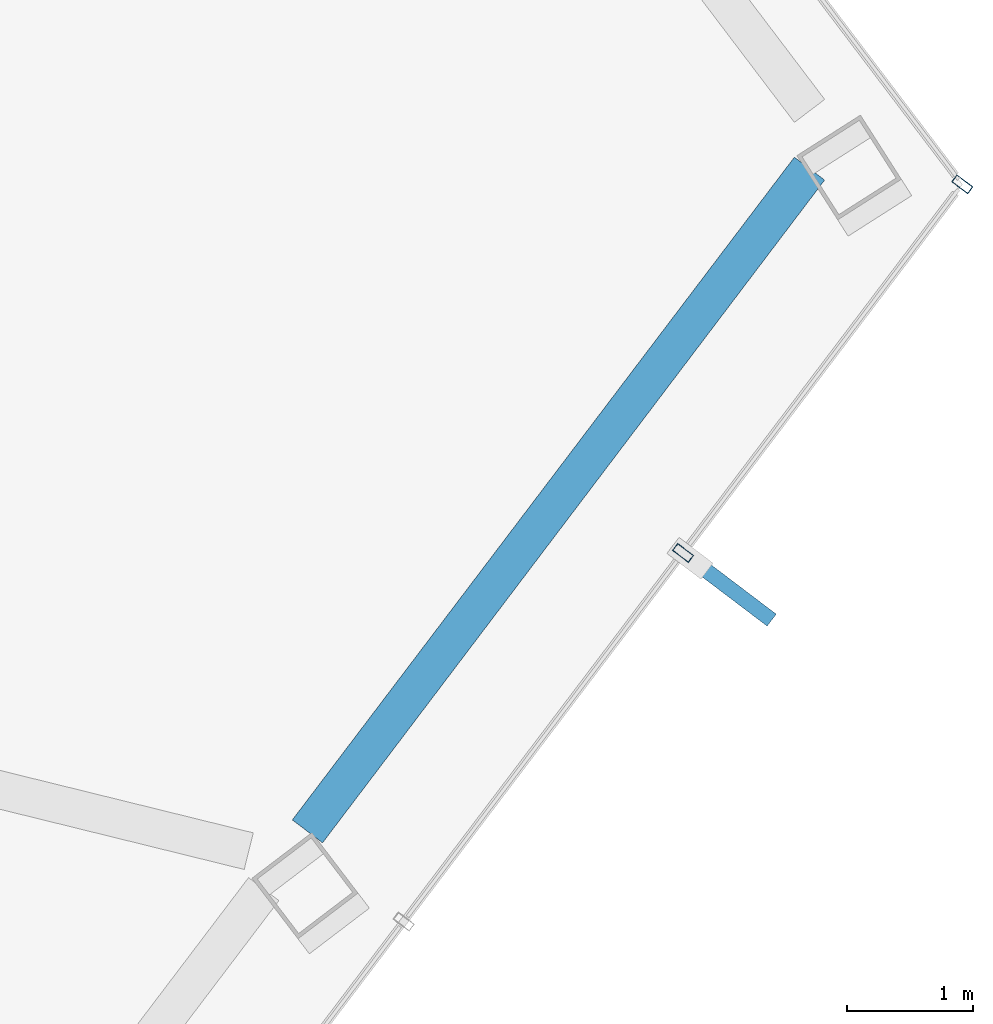
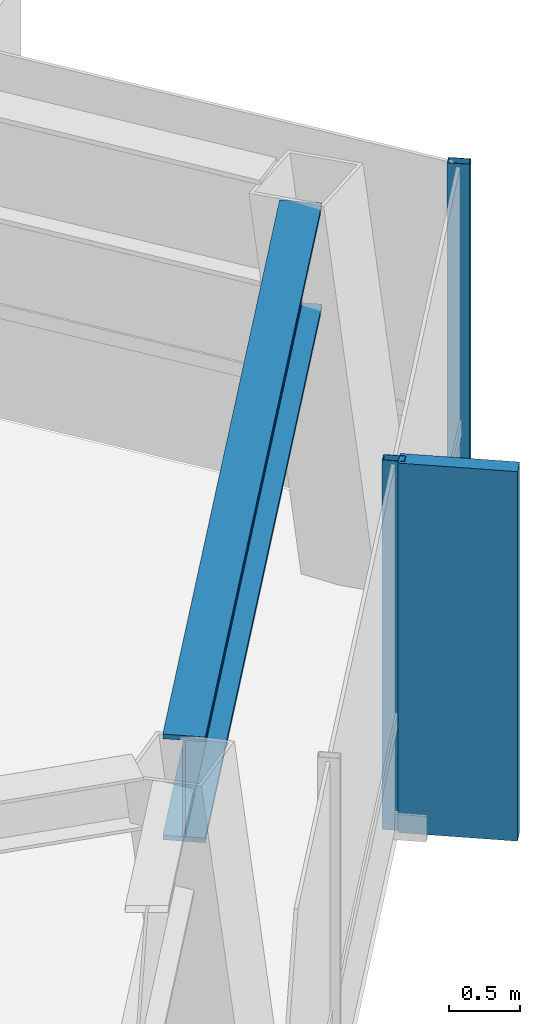
# One storey, part 18 of 25: 3 members, 1 beam, 1 element without a shape of its own.
"""IFC4 building model written with IfcOpenShell, lengths in metres."""

from ifc_helpers import new_model, si_unit, direction, frame, origin, origin_2d, place, context, subcontext, project, spatial, rectangle, hollow_rectangle, i_section, extrude, material, layer, layer_set, material_profile, profile_set, type_object, element, aggregate, save


model = new_model("IFC4")

# Units and contexts
model_context = context("Model", 3, precision=1e-05, world=origin(), true_north=direction((0.0, 1.0)))
body_context = subcontext(model_context, "Body", "Model", "MODEL_VIEW")
ifc_project = project(units=[si_unit("LENGTHUNIT", "METRE"), si_unit("AREAUNIT", "SQUARE_METRE"), si_unit("VOLUMEUNIT", "CUBIC_METRE"), si_unit("PLANEANGLEUNIT", "RADIAN"), si_unit("MASSUNIT", "GRAM", prefix="KILO")], contexts=[model_context])

# Site, building, storey
site_placement = place(None, origin())
site = spatial("IfcSite", under=ifc_project, at=site_placement, CompositionType="ELEMENT")
building_placement = place(site_placement, origin())
building = spatial("IfcBuilding", under=site, at=building_placement, Name="Zarrinselat Tower", CompositionType="ELEMENT")
storey_placement = place(building_placement, frame((0.0, 0.0, 246.159912109375)))
storey = spatial("IfcBuildingStorey", under=building, at=storey_placement, Name="L62", CompositionType="ELEMENT", Elevation=246.159912109375)

# Beam
ifc_material_1 = material(Name="Steel S460M", Category="steel")
ifc_material_profile_1 = material_profile(ifc_material_1, i_section(OverallWidth=0.302001953125, OverallDepth=0.909912109375, WebThickness=0.02099609375, FlangeThickness=0.0400390625, at=origin_2d()), Name="HEM 900")
ifc_profile_set_1 = profile_set([ifc_material_profile_1], Name="Steel S460M")
beam_type = type_object("IfcBeamType", Name="BM-HEM900", PredefinedType="BEAM", material=ifc_profile_set_1)
beam_placement = place(storey_placement, frame((56.42578125, 36.8818359375, 2.72509765625), z_axis=(0.603859819163, 0.797090533629, 0.0), x_axis=(-0.797090533629, 0.603859819163, 0.0)))
element("IfcBeam", 1, at=beam_placement, inside=storey, type_object=beam_type, Name="L62 Perimeter Spandrel Girder SP14", PredefinedType="BEAM", context=body_context, shape_type="SweptSolid", body=[
    extrude(i_section(OverallWidth=0.302001953125, OverallDepth=0.909912109375, WebThickness=0.02099609375, FlangeThickness=0.0400390625, at=origin_2d()), origin(), (0.0, 0.0, 1.0), 6.61669921875),
])

# Curtain wall, members
ifc_material_2 = material(Name="Extruded Aluminium Alloy EN AW-6063 T6", Category="aluminium")
ifc_layer = layer(ifc_material_2, 0.169921875)
ifc_layer_set = layer_set([ifc_layer], Name="Extruded Aluminium Alloy EN AW-6063 T6")
curtain_wall_type = type_object("IfcCurtainWallType", Name="CWS-RES", PredefinedType="NOTDEFINED", material=ifc_layer_set)
curtain_wall_placement = place(storey_placement, origin())
curtain_wall = element("IfcCurtainWall", 2, at=curtain_wall_placement, inside=storey, type_object=curtain_wall_type, Name="L62 Unitised Curtain Wall CW-L62-E05", PredefinedType="NOTDEFINED")
ifc_material_3 = material(Name="Extruded Aluminium Alloy EN AW-6063 T6", Category="aluminium")
ifc_material_profile_2 = material_profile(ifc_material_3, hollow_rectangle(XDim=0.070068359375, YDim=0.159912109375, WallThickness=0.00390625, at=origin_2d()), Name="RHS 160x70x4")
ifc_profile_set_2 = profile_set([ifc_material_profile_2], Name="Extruded Aluminium Alloy EN AW-6063 T6")
member_type_1 = type_object("IfcMemberType", Name="MEM-CW-MUL2", PredefinedType="MULLION", material=ifc_profile_set_2)
member_1_placement = place(storey_placement, frame((59.414794921875, 39.097412109375, 0.0), z_axis=(0.0, 0.0, 1.0), x_axis=(0.603858472709, 0.797091553674, 0.0)))
member_1 = element("IfcMember", 3, at=member_1_placement, type_object=member_type_1, Name="CW-L62-E05 Mullion 7", PredefinedType="MULLION", context=body_context, shape_type="SweptSolid", body=[
    extrude(hollow_rectangle(XDim=0.070068359375, YDim=0.159912109375, WallThickness=0.00390625, at=origin_2d()), origin(), (0.0, 0.0, 1.0), 3.18017578125),
])
member_2_placement = place(storey_placement, frame((61.63720703125, 42.03076171875, 0.0), z_axis=(0.0, 0.0, 1.0), x_axis=(0.603858472709, 0.797091553674, 0.0)))
member_2 = element("IfcMember", 4, at=member_2_placement, type_object=member_type_1, Name="CW-L62-E05 Mullion 8", PredefinedType="MULLION", context=body_context, shape_type="SweptSolid", body=[
    extrude(hollow_rectangle(XDim=0.070068359375, YDim=0.159912109375, WallThickness=0.00390625, at=origin_2d()), origin(), (0.0, 0.0, 1.0), 3.18017578125),
])
ifc_material_4 = material(Name="Honed Cream Travertine Stone", Category="masonry")
ifc_material_profile_3 = material_profile(ifc_material_4, rectangle(XDim=0.1201171875, YDim=0.85009765625, at=origin_2d()), Name="FIN 850x120")
ifc_profile_set_3 = profile_set([ifc_material_profile_3], Name="Honed Cream Travertine Stone")
member_type_2 = type_object("IfcMemberType", Name="MEM-STONE-FIN", PredefinedType="USERDEFINED", material=ifc_profile_set_3)
member_3_placement = place(storey_placement, frame((59.781494140625, 38.819580078125, 0.0), z_axis=(0.0, 0.0, 1.0), x_axis=(-0.603858472709, -0.797091553674, 0.0)))
member_3 = element("IfcMember", 5, at=member_3_placement, type_object=member_type_2, Name="L62 Stone Shading Fin CW-L62-E05-07", ObjectType="FIN", PredefinedType="USERDEFINED", context=body_context, shape_type="SweptSolid", body=[
    extrude(rectangle(XDim=0.1201171875, YDim=0.85009765625, at=origin_2d()), origin(), (0.0, 0.0, 1.0), 3.18017578125),
])
aggregate(curtain_wall, [member_1, member_3, member_2])

save(model, "model.ifc")
